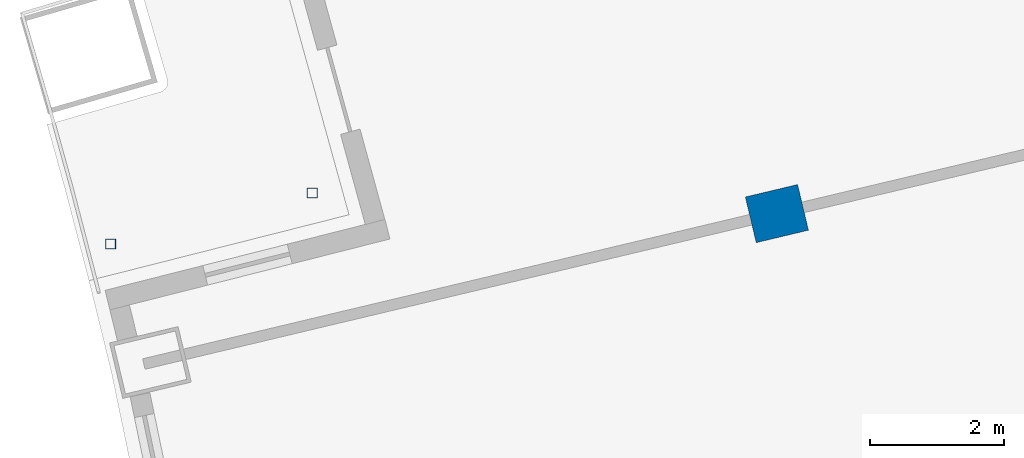
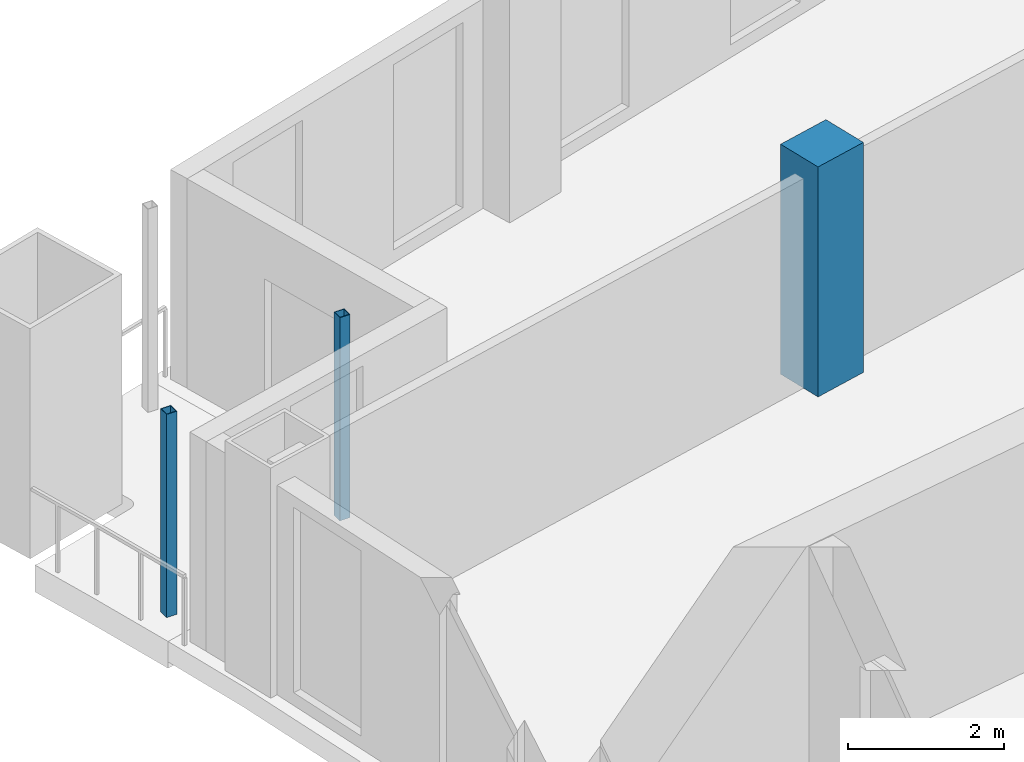
# One storey, part 5 of 17: 3 columns.
"""IFC4 building model written with IfcOpenShell, lengths in metres."""

from ifc_helpers import new_model, si_unit, direction, frame, origin, origin_2d, place, context, subcontext, project, spatial, rectangle, hollow_rectangle, extrude, material, material_profile, profile_set, type_object, element, save


model = new_model("IFC4")

# Units and contexts
model_context = context("Model", 3, precision=1e-05, world=origin(), true_north=direction((0.0, 1.0)))
body_context = subcontext(model_context, "Body", "Model", "MODEL_VIEW")
ifc_project = project(units=[si_unit("LENGTHUNIT", "METRE"), si_unit("AREAUNIT", "SQUARE_METRE"), si_unit("VOLUMEUNIT", "CUBIC_METRE"), si_unit("PLANEANGLEUNIT", "RADIAN"), si_unit("MASSUNIT", "GRAM", prefix="KILO")], contexts=[model_context])

# Site, building, storey
site_placement = place(None, origin())
site = spatial("IfcSite", under=ifc_project, at=site_placement, CompositionType="ELEMENT")
building_placement = place(site_placement, origin())
building = spatial("IfcBuilding", under=site, at=building_placement, Name="Alderwake Tower", CompositionType="ELEMENT")
storey_placement = place(building_placement, frame((0.0, 0.0, 214.39990234375)))
storey = spatial("IfcBuildingStorey", under=building, at=storey_placement, Name="L53", CompositionType="ELEMENT", Elevation=214.39990234375)

# Columns
ifc_material_1 = material(Name="Concrete C70/85", Category="concrete")
ifc_material_profile_1 = material_profile(ifc_material_1, rectangle(XDim=0.699951171875, YDim=0.800048828125, at=origin_2d()), Name="RC 800X700")
ifc_profile_set_1 = profile_set([ifc_material_profile_1], Name="Concrete C70/85")
column_type_1 = type_object("IfcColumnType", Name="Interior column Z4", PredefinedType="COLUMN", material=ifc_profile_set_1)
column_placement = place(storey_placement, frame((23.322021484375, 85.555908203125, 0.0), z_axis=(0.0, 0.0, 1.0), x_axis=(-0.231221547198, 0.972901123502, 0.0)))
element("IfcColumn", 1, at=column_placement, inside=storey, type_object=column_type_1, Name="Column R11-C1", PredefinedType="COLUMN", context=body_context, shape_type="SweptSolid", body=[
    extrude(rectangle(XDim=0.699951171875, YDim=0.800048828125, at=origin_2d()), origin(), (0.0, 0.0, 1.0), 3.60009765625),
])
ifc_material_2 = material(Name="Steel ASTM A500 Grade C", Category="steel")
ifc_material_profile_2 = material_profile(ifc_material_2, hollow_rectangle(XDim=0.15234375, YDim=0.15234375, WallThickness=0.0087890625, at=origin_2d()), Name="HSS6X6X3/8")
ifc_profile_set_2 = profile_set([ifc_material_profile_2], Name="Steel ASTM A500 Grade C")
column_type_2 = type_object("IfcColumnType", Name="Light post HSS6X6X3/8", PredefinedType="COLUMN", material=ifc_profile_set_2)
for number, where, z_axis, x_axis, name in (
    (2, (13.3896484375, 85.103515625, 0.0), (0.0, 0.0, 1.0), (1.0, 0.0, 0.0), "Terrace post RN1"),
    (3, (16.39501953125, 85.864013671875, 0.0), (0.0, 0.0, 1.0), (1.0, 0.0, 0.0), "Terrace post RN3"),
):
    element("IfcColumn", number, at=place(storey_placement, frame(where, z_axis=z_axis, x_axis=x_axis)), inside=storey, type_object=column_type_2, Name=name, PredefinedType="COLUMN", context=body_context, shape_type="SweptSolid", body=[
        extrude(hollow_rectangle(XDim=0.15234375, YDim=0.15234375, WallThickness=0.0087890625, at=origin_2d()), origin(), (0.0, 0.0, 1.0), 3.18017578125),
    ])

save(model, "model.ifc")
